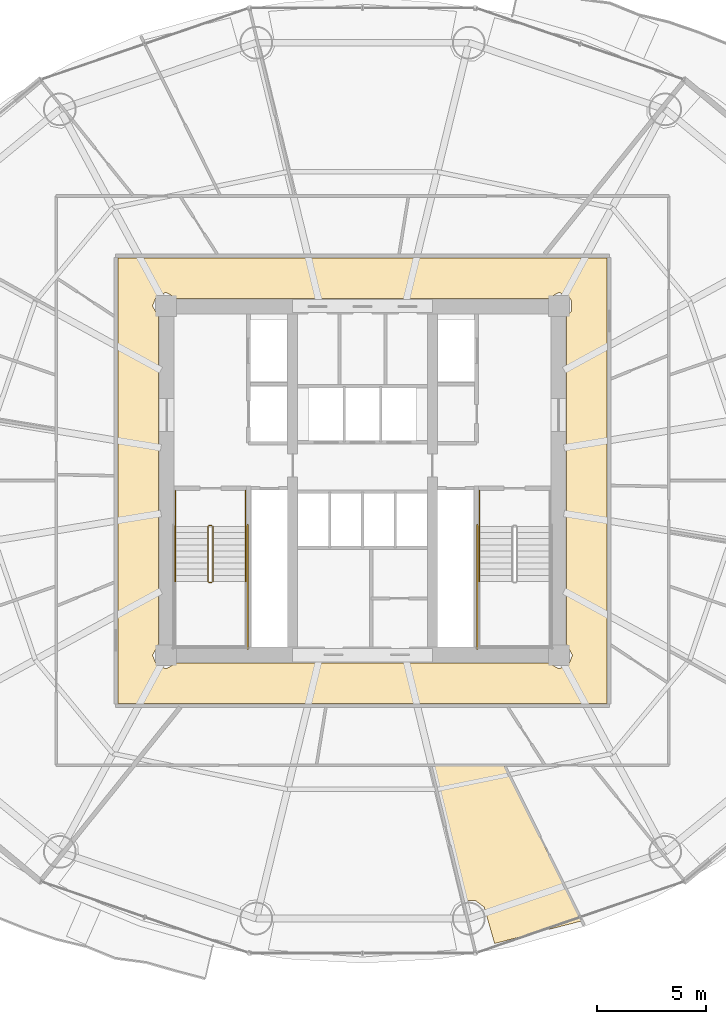
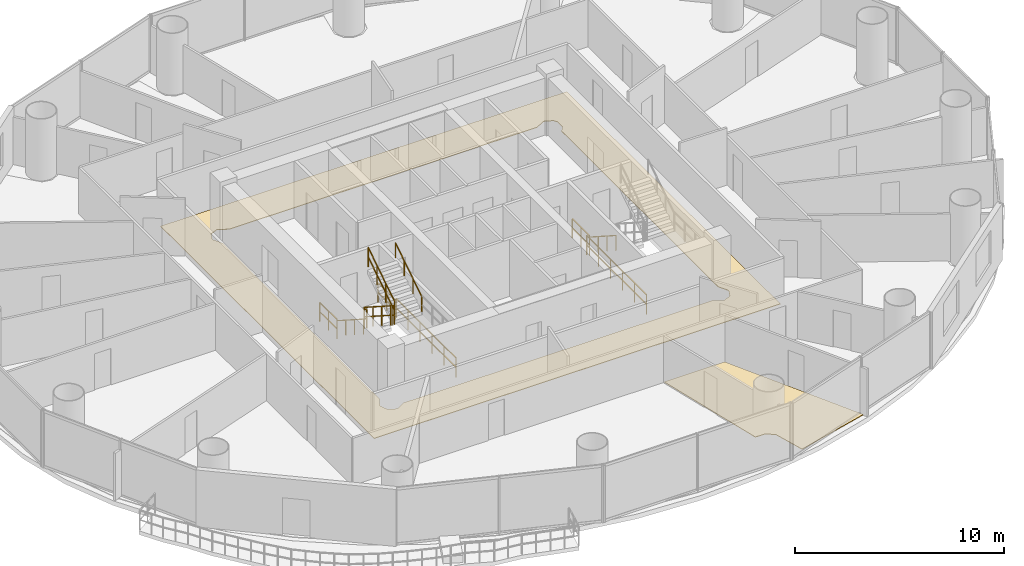
# One storey, part 27 of 29: 12 railings, 2 coverings.
"""IFC4 building model written with IfcOpenShell, lengths in metres."""

from ifc_helpers import new_model, si_unit, direction, frame, origin, origin_2d, place, context, subcontext, project, spatial, polyline, rectangle, outline, extrude, material, layer, layer_set, type_object, element, save


model = new_model("IFC4")

# Units and contexts
model_context = context("Model", 3, precision=1e-05, world=origin(), true_north=direction((-0.2419218956, 0.970295726276)))
body_context = subcontext(model_context, "Body", "Model", "MODEL_VIEW")
ifc_project = project(units=[si_unit("LENGTHUNIT", "METRE"), si_unit("AREAUNIT", "SQUARE_METRE"), si_unit("VOLUMEUNIT", "CUBIC_METRE"), si_unit("PLANEANGLEUNIT", "RADIAN"), si_unit("MASSUNIT", "GRAM", prefix="KILO")], contexts=[model_context])

# Site, building, storey
site_placement = place(None, origin())
site = spatial("IfcSite", under=ifc_project, at=site_placement, CompositionType="ELEMENT")
building_placement = place(site_placement, origin())
building = spatial("IfcBuilding", under=site, at=building_placement, Name="Cobrevalo Terracotta Tower", CompositionType="ELEMENT")
storey_placement = place(building_placement, frame((0.0, 0.0, 112.199951171875)))
storey = spatial("IfcBuildingStorey", under=building, at=storey_placement, Name="L29", CompositionType="ELEMENT", Elevation=112.199951171875)

# Coverings
ifc_material_1 = material(Name="Engineered Brazilian hardwood flooring", Category="wood")
ifc_layer_1 = layer(ifc_material_1, 0.028076171875)
ifc_layer_set_1 = layer_set([ifc_layer_1], Name="Engineered Brazilian hardwood flooring")
covering_type_1 = type_object("IfcCoveringType", Name="Engineered Hardwood Suite Flooring 28", PredefinedType="FLOORING", material=ifc_layer_set_1)
covering_1_placement = place(storey_placement, origin())
element("IfcCovering", 1, at=covering_1_placement, inside=storey, type_object=covering_type_1, Name="Flat L29B Master Bedroom floor finish", PredefinedType="FLOORING", context=body_context, shape_type="SweptSolid", body=[
    extrude(outline(polyline([(44.05078125, 5.59814453125), (43.578125, 7.261962890625), (43.170166015625, 7.5693359375), (42.62109375, 7.584716796875), (41.146240234375, 13.7451171875), (44.486328125, 13.7451171875), (48.033447265625, 6.630126953125), (44.05078125, 5.59814453125)])), origin(), (0.0, 0.0, 1.0), 0.030029296875),
])
ifc_material_2 = material(Name="Honed terracotta and granite tile", Category="masonry")
ifc_layer_2 = layer(ifc_material_2, 0.034912109375)
ifc_layer_set_2 = layer_set([ifc_layer_2], Name="Honed terracotta and granite tile")
covering_type_2 = type_object("IfcCoveringType", Name="Honed Terracotta & Granite Interior Flooring 35", PredefinedType="FLOORING", material=ifc_layer_set_2)
covering_2_placement = place(storey_placement, origin())
element("IfcCovering", 2, at=covering_2_placement, inside=storey, type_object=covering_type_2, Name="L29 Residential Floor Corridor floor finish", PredefinedType="FLOORING", context=body_context, shape_type="SweptSolid", body=[
    extrude(outline(polyline([(49.205078125, 37.0048828125), (49.205078125, 16.594970703125), (26.794921875, 16.594970703125), (26.794921875, 37.0048828125), (49.205078125, 37.0048828125)]), holes=[polyline([(47.344970703125, 34.298828125), (47.5732421875, 34.5625), (47.5732421875, 35.037353515625), (47.438720703125, 35.23876953125), (47.0, 35.42041015625), (46.498779296875, 35.14501953125), (29.501220703125, 35.14501953125), (29.0, 35.42041015625), (28.561279296875, 35.23876953125), (28.379638671875, 34.800048828125), (28.655029296875, 34.298828125), (28.655029296875, 19.30126953125), (28.379638671875, 18.800048828125), (28.561279296875, 18.361328125), (29.0, 18.1796875), (29.501220703125, 18.455078125), (46.498779296875, 18.455078125), (47.0, 18.1796875), (47.438720703125, 18.361328125), (47.620361328125, 18.800048828125), (47.344970703125, 19.30126953125), (47.344970703125, 34.298828125)])]), origin(), (0.0, 0.0, 1.0), 0.030029296875),
])

# Railings
ifc_material_3 = material(Name="Brushed stainless steel", Category="steel")
railing_type_1 = type_object("IfcRailingType", Name="Stainless Steel Stair Handrail 900", PredefinedType="HANDRAIL", material=ifc_material_3)
railing_1_placement = place(storey_placement, frame((29.425048828125, 24.699951171875, 0.179931640625)))
element("IfcRailing", 3, at=railing_1_placement, inside=storey, type_object=railing_type_1, Name="L29 ST-1 stair handrail 1", PredefinedType="HANDRAIL", context=body_context, shape_type="SweptSolid", body=[
    extrude(rectangle(XDim=0.048095703125, YDim=0.048095703125, at=origin_2d()), frame((0.0, 0.0, 0.8759765625), z_axis=(0.0, -0.841162588446, 0.540782303519), x_axis=(1.0, 0.0, 0.0)), (0.0, 0.0, 1.0), 2.995849609375),
    extrude(rectangle(XDim=0.0419921875, YDim=0.0419921875, at=origin_2d()), origin(), (0.0, 0.0, 1.0), 0.851806640625),
    extrude(rectangle(XDim=0.0419921875, YDim=0.0419921875, at=origin_2d()), frame((0.0, -0.840087890625, 0.5400390625)), (0.0, 0.0, 1.0), 0.851806640625),
    extrude(rectangle(XDim=0.0419921875, YDim=0.0419921875, at=origin_2d()), frame((0.0, -1.679931640625, 1.080078125)), (0.0, 0.0, 1.0), 0.851806640625),
    extrude(rectangle(XDim=0.0419921875, YDim=0.0419921875, at=origin_2d()), frame((0.0, -2.52001953125, 1.6201171875)), (0.0, 0.0, 1.0), 0.851806640625),
])
railing_2_placement = place(storey_placement, frame((32.64501953125, 22.179931640625, 1.97998046875)))
element("IfcRailing", 4, at=railing_2_placement, inside=storey, type_object=railing_type_1, Name="L29 ST-1 stair handrail 2", PredefinedType="HANDRAIL", context=body_context, shape_type="SweptSolid", body=[
    extrude(rectangle(XDim=0.048095703125, YDim=0.048095703125, at=origin_2d()), frame((0.0, 0.0, 0.8759765625), z_axis=(0.0, 0.841162588446, 0.540782303519), x_axis=(-1.0, 0.0, 0.0)), (0.0, 0.0, 1.0), 2.995849609375),
    extrude(rectangle(XDim=0.0419921875, YDim=0.0419921875, at=origin_2d()), origin(), (0.0, 0.0, 1.0), 0.851806640625),
    extrude(rectangle(XDim=0.0419921875, YDim=0.0419921875, at=origin_2d()), frame((0.0, 0.840087890625, 0.5400390625)), (0.0, 0.0, 1.0), 0.851806640625),
    extrude(rectangle(XDim=0.0419921875, YDim=0.0419921875, at=origin_2d()), frame((0.0, 1.679931640625, 1.080078125)), (0.0, 0.0, 1.0), 0.851806640625),
    extrude(rectangle(XDim=0.0419921875, YDim=0.0419921875, at=origin_2d()), frame((0.0, 2.52001953125, 1.6201171875)), (0.0, 0.0, 1.0), 0.851806640625),
])
railing_3_placement = place(storey_placement, frame((43.35498046875, 24.699951171875, 0.179931640625)))
element("IfcRailing", 5, at=railing_3_placement, inside=storey, type_object=railing_type_1, Name="L29 ST-2 stair handrail 1", PredefinedType="HANDRAIL", context=body_context, shape_type="SweptSolid", body=[
    extrude(rectangle(XDim=0.048095703125, YDim=0.048095703125, at=origin_2d()), frame((0.0, 0.0, 0.8759765625), z_axis=(0.0, -0.841162588446, 0.540782303519), x_axis=(1.0, 0.0, 0.0)), (0.0, 0.0, 1.0), 2.995849609375),
    extrude(rectangle(XDim=0.0419921875, YDim=0.0419921875, at=origin_2d()), origin(), (0.0, 0.0, 1.0), 0.851806640625),
    extrude(rectangle(XDim=0.0419921875, YDim=0.0419921875, at=origin_2d()), frame((0.0, -0.840087890625, 0.5400390625)), (0.0, 0.0, 1.0), 0.851806640625),
    extrude(rectangle(XDim=0.0419921875, YDim=0.0419921875, at=origin_2d()), frame((0.0, -1.679931640625, 1.080078125)), (0.0, 0.0, 1.0), 0.851806640625),
    extrude(rectangle(XDim=0.0419921875, YDim=0.0419921875, at=origin_2d()), frame((0.0, -2.52001953125, 1.6201171875)), (0.0, 0.0, 1.0), 0.851806640625),
])
ifc_material_4 = material(Name="Painted galvanized steel", Category="steel")
railing_type_2 = type_object("IfcRailingType", Name="Stair Well Guard Balustrade 1150", PredefinedType="GUARDRAIL", material=ifc_material_4)
railing_4_placement = place(storey_placement, frame((30.925048828125, 24.699951171875, 0.179931640625)))
element("IfcRailing", 6, at=railing_4_placement, inside=storey, type_object=railing_type_2, Name="L29 ST-1 stair guard 1", PredefinedType="GUARDRAIL", context=body_context, shape_type="SweptSolid", body=[
    extrude(rectangle(XDim=0.048095703125, YDim=0.048095703125, at=origin_2d()), frame((0.0, 0.0, 1.1259765625), z_axis=(0.0, -0.841162588446, 0.540782303519), x_axis=(1.0, 0.0, 0.0)), (0.0, 0.0, 1.0), 2.995849609375),
    extrude(rectangle(XDim=0.048095703125, YDim=0.048095703125, at=origin_2d()), frame((0.0, 0.0, 0.574951171875), z_axis=(0.0, -0.841162588446, 0.540782303519), x_axis=(1.0, 0.0, 0.0)), (0.0, 0.0, 1.0), 2.995849609375),
    extrude(rectangle(XDim=0.0419921875, YDim=0.0419921875, at=origin_2d()), origin(), (0.0, 0.0, 1.0), 1.101806640625),
    extrude(rectangle(XDim=0.0419921875, YDim=0.0419921875, at=origin_2d()), frame((0.0, -0.840087890625, 0.5400390625)), (0.0, 0.0, 1.0), 1.101806640625),
    extrude(rectangle(XDim=0.0419921875, YDim=0.0419921875, at=origin_2d()), frame((0.0, -1.679931640625, 1.080078125)), (0.0, 0.0, 1.0), 1.101806640625),
    extrude(rectangle(XDim=0.0419921875, YDim=0.0419921875, at=origin_2d()), frame((0.0, -2.52001953125, 1.6201171875)), (0.0, 0.0, 1.0), 1.101806640625),
])
railing_5_placement = place(storey_placement, frame((30.97509765625, 22.1298828125, 1.800048828125)))
element("IfcRailing", 7, at=railing_5_placement, inside=storey, type_object=railing_type_2, Name="L29 ST-1 stair guard 2", PredefinedType="GUARDRAIL", context=body_context, shape_type="SweptSolid", body=[
    extrude(rectangle(XDim=0.048095703125, YDim=0.048095703125, at=origin_2d()), frame((0.0, 0.0, 1.1259765625), z_axis=(1.0, 0.0, 0.0), x_axis=(0.0, 1.0, 0.0)), (0.0, 0.0, 1.0), 0.119873046875),
    extrude(rectangle(XDim=0.048095703125, YDim=0.048095703125, at=origin_2d()), frame((0.0, 0.0, 0.574951171875), z_axis=(1.0, 0.0, 0.0), x_axis=(0.0, 1.0, 0.0)), (0.0, 0.0, 1.0), 0.119873046875),
    extrude(rectangle(XDim=0.0419921875, YDim=0.0419921875, at=origin_2d()), origin(), (0.0, 0.0, 1.0), 1.101806640625),
    extrude(rectangle(XDim=0.0419921875, YDim=0.0419921875, at=origin_2d()), frame((0.119873046875, 0.0, 0.0)), (0.0, 0.0, 1.0), 1.101806640625),
])
railing_6_placement = place(storey_placement, frame((31.14501953125, 22.179931640625, 1.97998046875)))
element("IfcRailing", 8, at=railing_6_placement, inside=storey, type_object=railing_type_2, Name="L29 ST-1 stair guard 6", PredefinedType="GUARDRAIL", context=body_context, shape_type="SweptSolid", body=[
    extrude(rectangle(XDim=0.048095703125, YDim=0.048095703125, at=origin_2d()), frame((0.0, 0.0, 1.1259765625), z_axis=(0.0, 0.841162588446, 0.540782303519), x_axis=(-1.0, 0.0, 0.0)), (0.0, 0.0, 1.0), 2.995849609375),
    extrude(rectangle(XDim=0.048095703125, YDim=0.048095703125, at=origin_2d()), frame((0.0, 0.0, 0.574951171875), z_axis=(0.0, 0.841162588446, 0.540782303519), x_axis=(-1.0, 0.0, 0.0)), (0.0, 0.0, 1.0), 2.995849609375),
    extrude(rectangle(XDim=0.0419921875, YDim=0.0419921875, at=origin_2d()), origin(), (0.0, 0.0, 1.0), 1.101806640625),
    extrude(rectangle(XDim=0.0419921875, YDim=0.0419921875, at=origin_2d()), frame((0.0, 0.840087890625, 0.5400390625)), (0.0, 0.0, 1.0), 1.101806640625),
    extrude(rectangle(XDim=0.0419921875, YDim=0.0419921875, at=origin_2d()), frame((0.0, 1.679931640625, 1.080078125)), (0.0, 0.0, 1.0), 1.101806640625),
    extrude(rectangle(XDim=0.0419921875, YDim=0.0419921875, at=origin_2d()), frame((0.0, 2.52001953125, 1.6201171875)), (0.0, 0.0, 1.0), 1.101806640625),
])
railing_7_placement = place(storey_placement, frame((30.97509765625, 24.75, 0.0)))
element("IfcRailing", 9, at=railing_7_placement, inside=storey, type_object=railing_type_2, Name="L29 ST-1 stair guard 7", PredefinedType="GUARDRAIL", context=body_context, shape_type="SweptSolid", body=[
    extrude(rectangle(XDim=0.048095703125, YDim=0.048095703125, at=origin_2d()), frame((0.0, 0.0, 1.1259765625), z_axis=(1.0, 0.0, 0.0), x_axis=(0.0, 1.0, 0.0)), (0.0, 0.0, 1.0), 0.119873046875),
    extrude(rectangle(XDim=0.048095703125, YDim=0.048095703125, at=origin_2d()), frame((0.0, 0.0, 0.574951171875), z_axis=(1.0, 0.0, 0.0), x_axis=(0.0, 1.0, 0.0)), (0.0, 0.0, 1.0), 0.119873046875),
    extrude(rectangle(XDim=0.0419921875, YDim=0.0419921875, at=origin_2d()), origin(), (0.0, 0.0, 1.0), 1.101806640625),
    extrude(rectangle(XDim=0.0419921875, YDim=0.0419921875, at=origin_2d()), frame((0.119873046875, 0.0, 0.0)), (0.0, 0.0, 1.0), 1.101806640625),
])
for number, where, name in (
    (10, (29.425048828125, 26.35009765625, 0.0), "L29 ST-1 stair guard 8"),
    (11, (32.64501953125, 26.35009765625, 0.0), "L29 ST-1 stair guard 9"),
):
    element("IfcRailing", number, at=place(storey_placement, frame(where)), inside=storey, type_object=railing_type_2, Name=name, PredefinedType="GUARDRAIL", context=body_context, shape_type="SweptSolid", body=[
        extrude(rectangle(XDim=0.048095703125, YDim=0.048095703125, at=origin_2d()), frame((0.0, 0.0, 1.1259765625), z_axis=(0.0, -1.0, 0.0), x_axis=(1.0, 0.0, 0.0)), (0.0, 0.0, 1.0), 1.650146484375),
        extrude(rectangle(XDim=0.048095703125, YDim=0.048095703125, at=origin_2d()), frame((0.0, 0.0, 0.574951171875), z_axis=(0.0, -1.0, 0.0), x_axis=(1.0, 0.0, 0.0)), (0.0, 0.0, 1.0), 1.650146484375),
        extrude(rectangle(XDim=0.0419921875, YDim=0.0419921875, at=origin_2d()), origin(), (0.0, 0.0, 1.0), 1.101806640625),
        extrude(rectangle(XDim=0.0419921875, YDim=0.0419921875, at=origin_2d()), frame((0.0, -0.8251953125, 0.0)), (0.0, 0.0, 1.0), 1.101806640625),
        extrude(rectangle(XDim=0.0419921875, YDim=0.0419921875, at=origin_2d()), frame((0.0, -1.650146484375, 0.0)), (0.0, 0.0, 1.0), 1.101806640625),
    ])
railing_8_placement = place(storey_placement, frame((32.7451171875, 24.800048828125, 0.0)))
element("IfcRailing", 12, at=railing_8_placement, inside=storey, type_object=railing_type_2, Name="L29 ST-1 stair guard 11", PredefinedType="GUARDRAIL", context=body_context, shape_type="SweptSolid", body=[
    extrude(rectangle(XDim=0.048095703125, YDim=0.048095703125, at=origin_2d()), frame((0.0, 0.0, 1.1259765625), z_axis=(0.0, -1.0, 0.0), x_axis=(1.0, 0.0, 0.0)), (0.0, 0.0, 1.0), 5.72509765625),
    extrude(rectangle(XDim=0.048095703125, YDim=0.048095703125, at=origin_2d()), frame((0.0, 0.0, 0.574951171875), z_axis=(0.0, -1.0, 0.0), x_axis=(1.0, 0.0, 0.0)), (0.0, 0.0, 1.0), 5.72509765625),
    extrude(rectangle(XDim=0.0419921875, YDim=0.0419921875, at=origin_2d()), origin(), (0.0, 0.0, 1.0), 1.101806640625),
    extrude(rectangle(XDim=0.0419921875, YDim=0.0419921875, at=origin_2d()), frame((0.0, -1.14501953125, 0.0)), (0.0, 0.0, 1.0), 1.101806640625),
    extrude(rectangle(XDim=0.0419921875, YDim=0.0419921875, at=origin_2d()), frame((0.0, -2.2900390625, 0.0)), (0.0, 0.0, 1.0), 1.101806640625),
    extrude(rectangle(XDim=0.0419921875, YDim=0.0419921875, at=origin_2d()), frame((0.0, -3.43505859375, 0.0)), (0.0, 0.0, 1.0), 1.101806640625),
    extrude(rectangle(XDim=0.0419921875, YDim=0.0419921875, at=origin_2d()), frame((0.0, -4.580078125, 0.0)), (0.0, 0.0, 1.0), 1.101806640625),
    extrude(rectangle(XDim=0.0419921875, YDim=0.0419921875, at=origin_2d()), frame((0.0, -5.72509765625, 0.0)), (0.0, 0.0, 1.0), 1.101806640625),
])
railing_9_placement = place(storey_placement, frame((43.35498046875, 26.35009765625, 0.0)))
element("IfcRailing", 13, at=railing_9_placement, inside=storey, type_object=railing_type_2, Name="L29 ST-2 stair guard 8", PredefinedType="GUARDRAIL", context=body_context, shape_type="SweptSolid", body=[
    extrude(rectangle(XDim=0.048095703125, YDim=0.048095703125, at=origin_2d()), frame((0.0, 0.0, 1.1259765625), z_axis=(0.0, -1.0, 0.0), x_axis=(1.0, 0.0, 0.0)), (0.0, 0.0, 1.0), 1.650146484375),
    extrude(rectangle(XDim=0.048095703125, YDim=0.048095703125, at=origin_2d()), frame((0.0, 0.0, 0.574951171875), z_axis=(0.0, -1.0, 0.0), x_axis=(1.0, 0.0, 0.0)), (0.0, 0.0, 1.0), 1.650146484375),
    extrude(rectangle(XDim=0.0419921875, YDim=0.0419921875, at=origin_2d()), origin(), (0.0, 0.0, 1.0), 1.101806640625),
    extrude(rectangle(XDim=0.0419921875, YDim=0.0419921875, at=origin_2d()), frame((0.0, -0.8251953125, 0.0)), (0.0, 0.0, 1.0), 1.101806640625),
    extrude(rectangle(XDim=0.0419921875, YDim=0.0419921875, at=origin_2d()), frame((0.0, -1.650146484375, 0.0)), (0.0, 0.0, 1.0), 1.101806640625),
])
railing_10_placement = place(storey_placement, frame((43.2548828125, 24.800048828125, 0.0)))
element("IfcRailing", 14, at=railing_10_placement, inside=storey, type_object=railing_type_2, Name="L29 ST-2 stair guard 10", PredefinedType="GUARDRAIL", context=body_context, shape_type="SweptSolid", body=[
    extrude(rectangle(XDim=0.048095703125, YDim=0.048095703125, at=origin_2d()), frame((0.0, 0.0, 1.1259765625), z_axis=(0.0, -1.0, 0.0), x_axis=(1.0, 0.0, 0.0)), (0.0, 0.0, 1.0), 5.72509765625),
    extrude(rectangle(XDim=0.048095703125, YDim=0.048095703125, at=origin_2d()), frame((0.0, 0.0, 0.574951171875), z_axis=(0.0, -1.0, 0.0), x_axis=(1.0, 0.0, 0.0)), (0.0, 0.0, 1.0), 5.72509765625),
    extrude(rectangle(XDim=0.0419921875, YDim=0.0419921875, at=origin_2d()), origin(), (0.0, 0.0, 1.0), 1.101806640625),
    extrude(rectangle(XDim=0.0419921875, YDim=0.0419921875, at=origin_2d()), frame((0.0, -1.14501953125, 0.0)), (0.0, 0.0, 1.0), 1.101806640625),
    extrude(rectangle(XDim=0.0419921875, YDim=0.0419921875, at=origin_2d()), frame((0.0, -2.2900390625, 0.0)), (0.0, 0.0, 1.0), 1.101806640625),
    extrude(rectangle(XDim=0.0419921875, YDim=0.0419921875, at=origin_2d()), frame((0.0, -3.43505859375, 0.0)), (0.0, 0.0, 1.0), 1.101806640625),
    extrude(rectangle(XDim=0.0419921875, YDim=0.0419921875, at=origin_2d()), frame((0.0, -4.580078125, 0.0)), (0.0, 0.0, 1.0), 1.101806640625),
    extrude(rectangle(XDim=0.0419921875, YDim=0.0419921875, at=origin_2d()), frame((0.0, -5.72509765625, 0.0)), (0.0, 0.0, 1.0), 1.101806640625),
])

save(model, "model.ifc")
